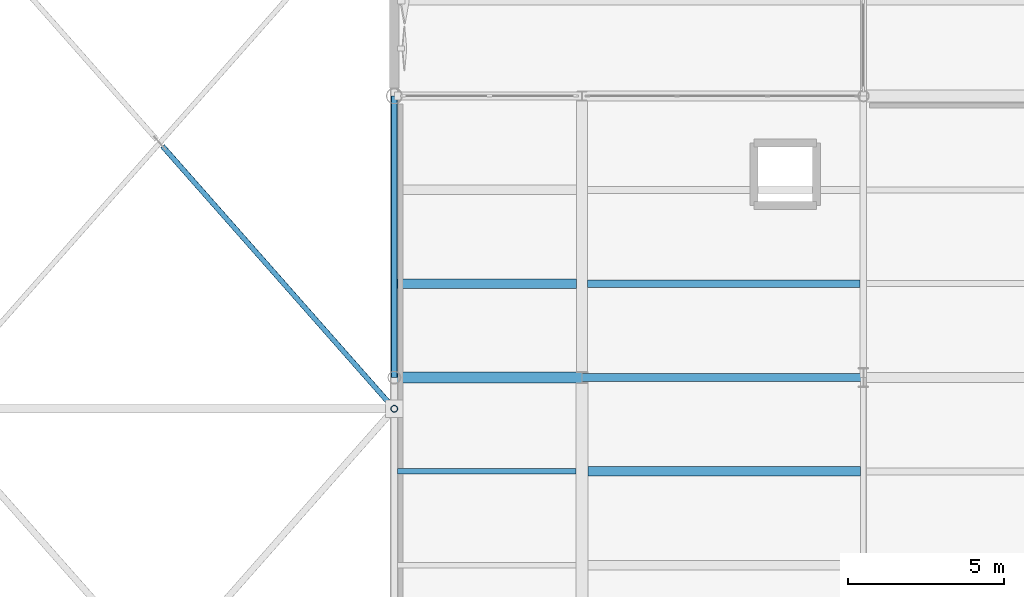
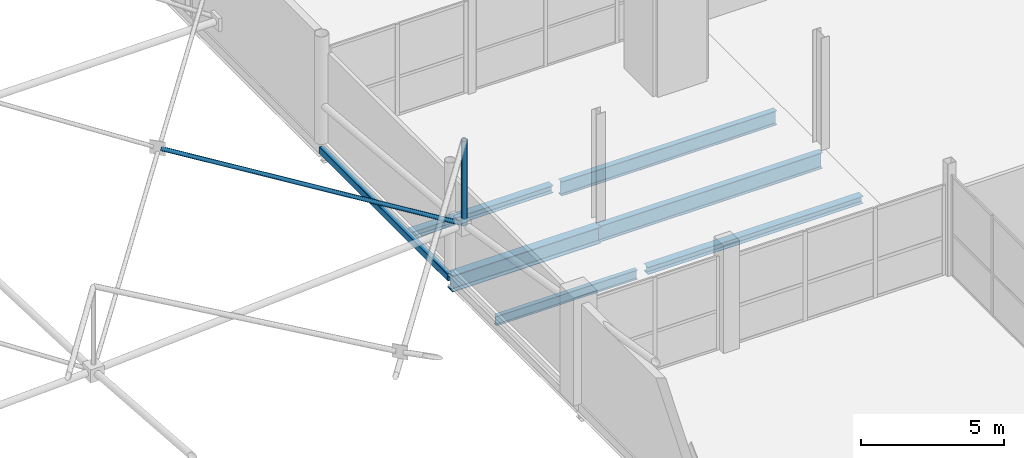
# One storey, part 130 of 224: 7 beams, 2 members.
"""IFC4 building model written with IfcOpenShell, lengths in metres."""

from ifc_helpers import new_model, si_unit, direction, frame, origin, origin_2d, place, context, subcontext, project, spatial, hollow_rectangle, hollow_circle, i_section, extrude, material, material_profile, profile_set, type_object, element, save


model = new_model("IFC4")

# Units and contexts
model_context = context("Model", 3, precision=1e-05, world=origin(), true_north=direction((0.0, 1.0)))
body_context = subcontext(model_context, "Body", "Model", "MODEL_VIEW")
ifc_project = project(units=[si_unit("LENGTHUNIT", "METRE"), si_unit("AREAUNIT", "SQUARE_METRE"), si_unit("VOLUMEUNIT", "CUBIC_METRE"), si_unit("PLANEANGLEUNIT", "RADIAN"), si_unit("MASSUNIT", "GRAM", prefix="KILO")], contexts=[model_context])

# Site, building, storey
site_placement = place(None, origin())
site = spatial("IfcSite", under=ifc_project, at=site_placement, CompositionType="ELEMENT")
building_placement = place(site_placement, origin())
building = spatial("IfcBuilding", under=site, at=building_placement, Name="Qamarlyn Nura Convention Centre", CompositionType="ELEMENT")
storey_placement = place(building_placement, frame((0.0, 0.0, 10.800048828125)))
storey = spatial("IfcBuildingStorey", under=building, at=storey_placement, Name="L02", CompositionType="ELEMENT", Elevation=10.800048828125)

# Beams
ifc_material_1 = material(Name="Steel ASTM A992", Category="steel")
ifc_material_profile_1 = material_profile(ifc_material_1, i_section(OverallWidth=0.35498046875, OverallDepth=0.695068359375, WebThickness=0.015380859375, FlangeThickness=0.02490234375, FilletRadius=0.01806640625, at=origin_2d()), Name="W690X217")
ifc_profile_set_1 = profile_set([ifc_material_profile_1], Name="Steel ASTM A992")
beam_type_1 = type_object("IfcBeamType", Name="BM-GIRD-690A", PredefinedType="BEAM", material=ifc_profile_set_1)
beam_1_placement = place(storey_placement, frame((120.0, 36.0, -0.587646484375), z_axis=(1.0, 0.0, 0.0), x_axis=(0.0, 1.0, 0.0)))
element("IfcBeam", 1, at=beam_1_placement, inside=storey, type_object=beam_type_1, Name="L02 girder E 9-10", PredefinedType="BEAM", context=body_context, shape_type="SweptSolid", body=[
    extrude(i_section(OverallWidth=0.35498046875, OverallDepth=0.695068359375, WebThickness=0.015380859375, FlangeThickness=0.02490234375, FilletRadius=0.01806640625, at=origin_2d()), origin(), (0.0, 0.0, 1.0), 6.0),
])
ifc_material_profile_2 = material_profile(ifc_material_1, i_section(OverallWidth=0.25390625, OverallDepth=0.68408203125, WebThickness=0.012451171875, FlangeThickness=0.01904296875, FilletRadius=0.01806640625, at=origin_2d()), Name="W690X140")
ifc_profile_set_2 = profile_set([ifc_material_profile_2], Name="Steel ASTM A992")
beam_type_2 = type_object("IfcBeamType", Name="BM-GIRD-690B", PredefinedType="BEAM", material=ifc_profile_set_2)
beam_2_placement = place(storey_placement, frame((126.0, 36.0, -0.58203125), z_axis=(1.0, 0.0, 0.0), x_axis=(0.0, 1.0, 0.0)))
element("IfcBeam", 2, at=beam_2_placement, inside=storey, type_object=beam_type_2, Name="L02 girder E 10-11", PredefinedType="BEAM", context=body_context, shape_type="SweptSolid", body=[
    extrude(i_section(OverallWidth=0.25390625, OverallDepth=0.68408203125, WebThickness=0.012451171875, FlangeThickness=0.01904296875, FilletRadius=0.01806640625, at=origin_2d()), origin(), (0.0, 0.0, 1.0), 9.0),
])
ifc_material_profile_3 = material_profile(ifc_material_1, i_section(OverallWidth=0.304931640625, OverallDepth=0.30810546875, WebThickness=0.010009765625, FlangeThickness=0.015380859375, FilletRadius=0.014892578125, at=origin_2d()), Name="W310X97")
ifc_profile_set_3 = profile_set([ifc_material_profile_3], Name="Steel ASTM A992")
beam_type_3 = type_object("IfcBeamType", Name="BM-JOIST-310", PredefinedType="JOIST", material=ifc_profile_set_3)
beam_3_placement = place(storey_placement, frame((120.10009765625, 39.0, -0.39404296875), z_axis=(1.0, 0.0, 0.0), x_axis=(0.0, 1.0, 0.0)))
element("IfcBeam", 3, at=beam_3_placement, inside=storey, type_object=beam_type_3, Name="L02 composite joist 9-10/E+1", PredefinedType="JOIST", context=body_context, shape_type="SweptSolid", body=[
    extrude(i_section(OverallWidth=0.304931640625, OverallDepth=0.30810546875, WebThickness=0.010009765625, FlangeThickness=0.015380859375, FilletRadius=0.014892578125, at=origin_2d()), origin(), (0.0, 0.0, 1.0), 5.722412109375),
])
beam_4_placement = place(storey_placement, frame((126.1904296875, 33.0, -0.39404296875), z_axis=(1.0, 0.0, 0.0), x_axis=(0.0, 1.0, 0.0)))
element("IfcBeam", 4, at=beam_4_placement, inside=storey, type_object=beam_type_3, Name="L02 composite joist 10-11/D+2", PredefinedType="JOIST", context=body_context, shape_type="SweptSolid", body=[
    extrude(i_section(OverallWidth=0.304931640625, OverallDepth=0.30810546875, WebThickness=0.010009765625, FlangeThickness=0.015380859375, FilletRadius=0.014892578125, at=origin_2d()), origin(), (0.0, 0.0, 1.0), 8.70947265625),
])
ifc_material_profile_4 = material_profile(ifc_material_1, i_section(OverallWidth=0.177978515625, OverallDepth=0.406982421875, WebThickness=0.0078125, FlangeThickness=0.0126953125, FilletRadius=0.011962890625, at=origin_2d()), Name="W410X60")
ifc_profile_set_4 = profile_set([ifc_material_profile_4], Name="Steel ASTM A992")
beam_type_4 = type_object("IfcBeamType", Name="BM-JOIST-410", PredefinedType="JOIST", material=ifc_profile_set_4)
beam_5_placement = place(storey_placement, frame((120.096435546875, 33.0, -0.443603515625), z_axis=(1.0, 0.0, 0.0), x_axis=(0.0, 1.0, 0.0)))
element("IfcBeam", 5, at=beam_5_placement, inside=storey, type_object=beam_type_4, Name="L02 composite joist 9-10/D+2", PredefinedType="JOIST", context=body_context, shape_type="SweptSolid", body=[
    extrude(i_section(OverallWidth=0.177978515625, OverallDepth=0.406982421875, WebThickness=0.0078125, FlangeThickness=0.0126953125, FilletRadius=0.011962890625, at=origin_2d()), origin(), (0.0, 0.0, 1.0), 5.713134765625),
])
ifc_material_profile_5 = material_profile(ifc_material_1, i_section(OverallWidth=0.22802734375, OverallDepth=0.60791015625, WebThickness=0.01123046875, FlangeThickness=0.017333984375, FilletRadius=0.01611328125, at=origin_2d()), Name="W610X113")
ifc_profile_set_5 = profile_set([ifc_material_profile_5], Name="Steel ASTM A992")
beam_type_5 = type_object("IfcBeamType", Name="BM-JOIST-610", PredefinedType="JOIST", material=ifc_profile_set_5)
beam_6_placement = place(storey_placement, frame((126.177490234375, 39.0, -0.5439453125), z_axis=(1.0, 0.0, 0.0), x_axis=(0.0, 1.0, 0.0)))
element("IfcBeam", 6, at=beam_6_placement, inside=storey, type_object=beam_type_5, Name="L02 composite joist 10-11/E+1", PredefinedType="JOIST", context=body_context, shape_type="SweptSolid", body=[
    extrude(i_section(OverallWidth=0.22802734375, OverallDepth=0.60791015625, WebThickness=0.01123046875, FlangeThickness=0.017333984375, FilletRadius=0.01611328125, at=origin_2d()), origin(), (0.0, 0.0, 1.0), 8.717041015625),
])
ifc_material_2 = material(Name="Steel ASTM A500 Grade C", Category="steel")
ifc_material_profile_6 = material_profile(ifc_material_2, hollow_rectangle(XDim=0.199951171875, YDim=0.300048828125, WallThickness=0.012451171875, InnerFilletRadius=0.012451171875, OuterFilletRadius=0.02490234375, at=origin_2d()), Name="HSS300X200X12.5")
ifc_profile_set_6 = profile_set([ifc_material_profile_6], Name="Steel ASTM A500 Grade C")
beam_type_6 = type_object("IfcBeamType", Name="BM-SPAN-HSS", PredefinedType="SPANDREL", material=ifc_profile_set_6)
beam_7_placement = place(storey_placement, frame((120.0, 36.0, -0.39013671875), z_axis=(0.0, 1.0, 0.0), x_axis=(-1.0, 0.0, 0.0)))
element("IfcBeam", 7, at=beam_7_placement, inside=storey, type_object=beam_type_6, Name="L02 girder 9 E-F", PredefinedType="SPANDREL", context=body_context, shape_type="SweptSolid", body=[
    extrude(hollow_rectangle(XDim=0.199951171875, YDim=0.300048828125, WallThickness=0.012451171875, InnerFilletRadius=0.012451171875, OuterFilletRadius=0.02490234375, at=origin_2d()), origin(), (0.0, 0.0, 1.0), 9.0),
])

# Members
ifc_material_3 = material(Name="Pearl-white PVDF steel ASTM A500 Grade C", Category="steel")
ifc_material_profile_7 = material_profile(ifc_material_3, hollow_circle(Radius=0.109619140625, WallThickness=0.010009765625, at=origin_2d()), Name="CHS219.1X10")
ifc_profile_set_7 = profile_set([ifc_material_profile_7], Name="Pearl-white PVDF steel ASTM A500 Grade C")
member_type_1 = type_object("IfcMemberType", Name="SF-WEB-HVY", PredefinedType="BRACE", material=ifc_profile_set_7)
member_1_placement = place(storey_placement, frame((120.0, 35.0, 2.483642578125), z_axis=(0.0, 0.0, 1.0), x_axis=(1.0, 0.0, 0.0)))
element("IfcMember", 8, at=member_1_placement, inside=storey, type_object=member_type_1, Name="ROOF TRUSS space frame vertical 10-3", PredefinedType="BRACE", context=body_context, shape_type="SweptSolid", body=[
    extrude(hollow_circle(Radius=0.109619140625, WallThickness=0.010009765625, at=origin_2d()), origin(), (0.0, 0.0, 1.0), 3.60009765625),
])
ifc_material_profile_8 = material_profile(ifc_material_3, hollow_circle(Radius=0.084228515625, WallThickness=0.008056640625, at=origin_2d()), Name="CHS168.3X8")
ifc_profile_set_8 = profile_set([ifc_material_profile_8], Name="Pearl-white PVDF steel ASTM A500 Grade C")
member_type_2 = type_object("IfcMemberType", Name="SF-WEB-STD", PredefinedType="BRACE", material=ifc_profile_set_8)
member_2_placement = place(storey_placement, frame((120.0, 35.0, 2.483642578125), z_axis=(-0.660214650625, 0.748251974349, 0.065081471888), x_axis=(-0.749841673406, -0.661617309948, 0.0)))
element("IfcMember", 9, at=member_2_placement, inside=storey, type_object=member_type_2, Name="ROOF TRUSS space frame split diagonal B1 9-3", PredefinedType="BRACE", context=body_context, shape_type="SweptSolid", body=[
    extrude(hollow_circle(Radius=0.084228515625, WallThickness=0.008056640625, at=origin_2d()), origin(), (0.0, 0.0, 1.0), 11.22021484375),
])

save(model, "model.ifc")
